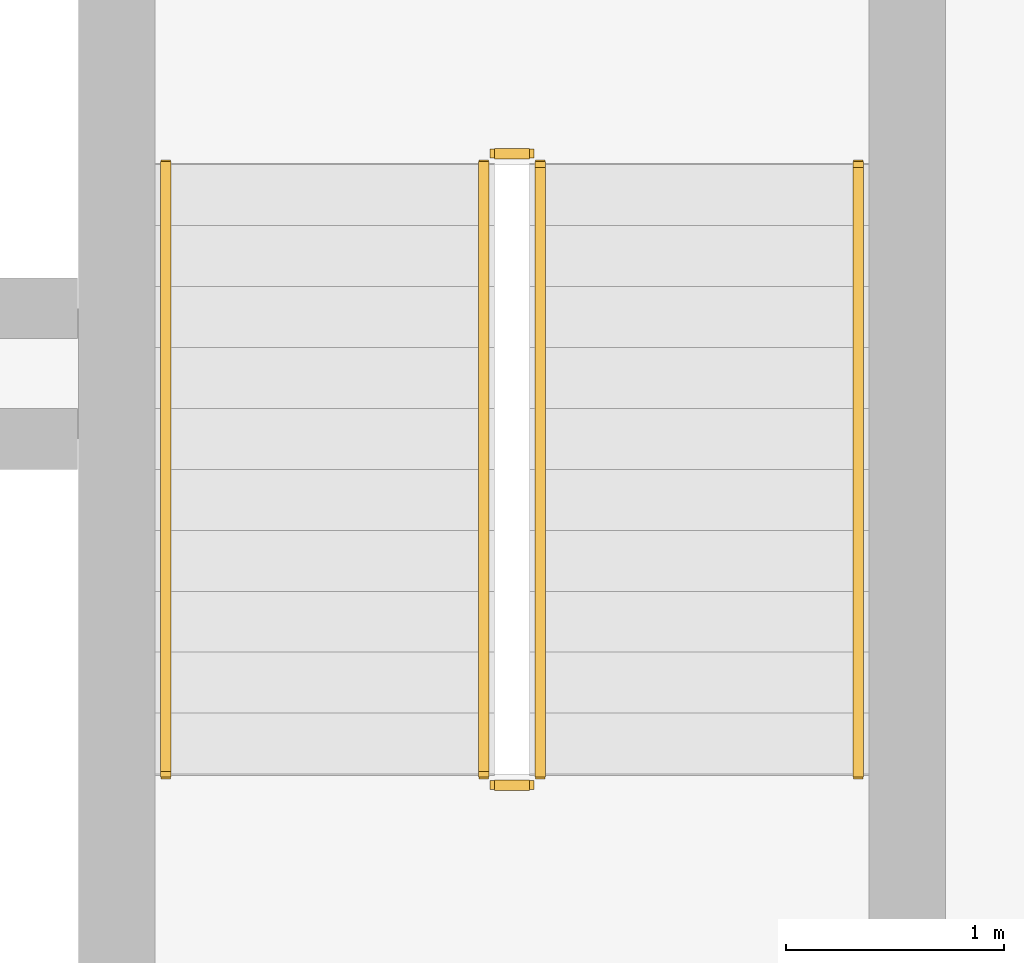
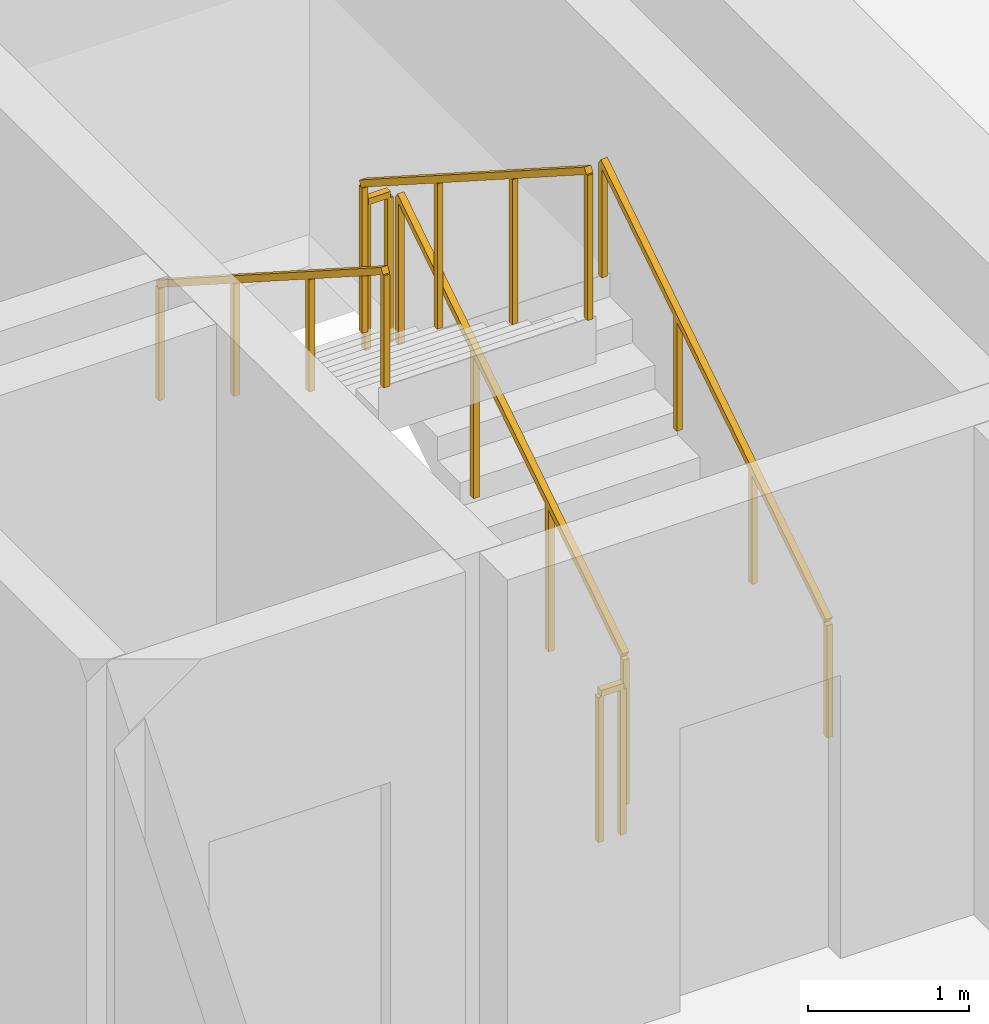
# One storey, part 11 of 11: 6 railings.
"""IFC4 building model written with IfcOpenShell, lengths in metres."""

from ifc_helpers import new_model, si_unit, direction, frame, origin, origin_2d, place, context, subcontext, project, spatial, rectangle, extrude, material, type_object, element, save


model = new_model("IFC4")

# Units and contexts
model_context = context("Model", 3, precision=1e-05, world=origin(), true_north=direction((0.0, 1.0)))
body_context = subcontext(model_context, "Body", "Model", "MODEL_VIEW")
ifc_project = project(units=[si_unit("LENGTHUNIT", "METRE"), si_unit("AREAUNIT", "SQUARE_METRE"), si_unit("VOLUMEUNIT", "CUBIC_METRE"), si_unit("PLANEANGLEUNIT", "RADIAN"), si_unit("MASSUNIT", "GRAM", prefix="KILO")], contexts=[model_context])

# Site, building, storey
site_placement = place(None, origin())
site = spatial("IfcSite", under=ifc_project, at=site_placement, CompositionType="ELEMENT")
building_placement = place(site_placement, origin())
building = spatial("IfcBuilding", under=site, at=building_placement, Name="Kaelvorn Grand Hotel", CompositionType="ELEMENT")
storey_placement = place(building_placement, frame((0.0, 0.0, 256.800048828125)))
storey = spatial("IfcBuildingStorey", under=building, at=storey_placement, Name="L63", CompositionType="ELEMENT", Elevation=256.800048828125)

# Railings
ifc_material = material(Name="Stainless Steel", Category="steel")
railing_type_1 = type_object("IfcRailingType", Name="RL-HANDRAIL-900", PredefinedType="HANDRAIL", material=ifc_material)
railing_1_placement = place(storey_placement, frame((66.550048828125, 41.760009765625, 0.179443359375)))
element("IfcRailing", 1, at=railing_1_placement, inside=storey, type_object=railing_type_1, Name="L63 ST3 stair handrail 1", PredefinedType="HANDRAIL", context=body_context, shape_type="SweptSolid", body=[
    extrude(rectangle(XDim=0.048095703125, YDim=0.048095703125, at=origin_2d()), frame((0.0, 0.0, 0.8759765625), z_axis=(0.0, 0.841809871826, 0.539774156196), x_axis=(-1.0, 0.0, 0.0)), (0.0, 0.0, 1.0), 3.326171875),
    extrude(rectangle(XDim=0.0419921875, YDim=0.0419921875, at=origin_2d()), origin(), (0.0, 0.0, 1.0), 0.851806640625),
    extrude(rectangle(XDim=0.0419921875, YDim=0.0419921875, at=origin_2d()), frame((0.0, 0.933349609375, 0.598388671875)), (0.0, 0.0, 1.0), 0.851806640625),
    extrude(rectangle(XDim=0.0419921875, YDim=0.0419921875, at=origin_2d()), frame((0.0, 1.86669921875, 1.197021484375)), (0.0, 0.0, 1.0), 0.851806640625),
    extrude(rectangle(XDim=0.0419921875, YDim=0.0419921875, at=origin_2d()), frame((0.0, 2.800048828125, 1.79541015625)), (0.0, 0.0, 1.0), 0.851806640625),
])
railing_2_placement = place(storey_placement, frame((63.3701171875, 44.56005859375, 2.154541015625)))
element("IfcRailing", 2, at=railing_2_placement, inside=storey, type_object=railing_type_1, Name="L63 ST3 stair handrail 2", PredefinedType="HANDRAIL", context=body_context, shape_type="SweptSolid", body=[
    extrude(rectangle(XDim=0.048095703125, YDim=0.048095703125, at=origin_2d()), frame((0.0, 0.0, 0.8759765625), z_axis=(0.0, -0.841809871826, 0.539774156196), x_axis=(1.0, 0.0, 0.0)), (0.0, 0.0, 1.0), 3.326171875),
    extrude(rectangle(XDim=0.0419921875, YDim=0.0419921875, at=origin_2d()), origin(), (0.0, 0.0, 1.0), 0.851806640625),
    extrude(rectangle(XDim=0.0419921875, YDim=0.0419921875, at=origin_2d()), frame((0.0, -0.933349609375, 0.598388671875)), (0.0, 0.0, 1.0), 0.851806640625),
    extrude(rectangle(XDim=0.0419921875, YDim=0.0419921875, at=origin_2d()), frame((0.0, -1.86669921875, 1.197021484375)), (0.0, 0.0, 1.0), 0.851806640625),
    extrude(rectangle(XDim=0.0419921875, YDim=0.0419921875, at=origin_2d()), frame((0.0, -2.800048828125, 1.79541015625)), (0.0, 0.0, 1.0), 0.851806640625),
])
railing_type_2 = type_object("IfcRailingType", Name="RL-STAIR-GUARD-1150", PredefinedType="BALUSTRADE", material=ifc_material)
railing_3_placement = place(storey_placement, frame((65.090087890625, 41.760009765625, 0.179443359375)))
element("IfcRailing", 3, at=railing_3_placement, inside=storey, type_object=railing_type_2, Name="L63 ST3 stair guard 1", PredefinedType="BALUSTRADE", context=body_context, shape_type="SweptSolid", body=[
    extrude(rectangle(XDim=0.048095703125, YDim=0.048095703125, at=origin_2d()), frame((0.0, 0.0, 1.1259765625), z_axis=(0.0, 0.841809871826, 0.539774156196), x_axis=(-1.0, 0.0, 0.0)), (0.0, 0.0, 1.0), 3.326171875),
    extrude(rectangle(XDim=0.0419921875, YDim=0.0419921875, at=origin_2d()), origin(), (0.0, 0.0, 1.0), 1.101806640625),
    extrude(rectangle(XDim=0.0419921875, YDim=0.0419921875, at=origin_2d()), frame((0.0, 0.933349609375, 0.598388671875)), (0.0, 0.0, 1.0), 1.101806640625),
    extrude(rectangle(XDim=0.0419921875, YDim=0.0419921875, at=origin_2d()), frame((0.0, 1.86669921875, 1.197021484375)), (0.0, 0.0, 1.0), 1.101806640625),
    extrude(rectangle(XDim=0.0419921875, YDim=0.0419921875, at=origin_2d()), frame((0.0, 2.800048828125, 1.79541015625)), (0.0, 0.0, 1.0), 1.101806640625),
])
railing_4_placement = place(storey_placement, frame((65.0400390625, 44.610107421875, 1.974853515625)))
element("IfcRailing", 4, at=railing_4_placement, inside=storey, type_object=railing_type_2, Name="L63 ST3 stair guard 2", PredefinedType="BALUSTRADE", context=body_context, shape_type="SweptSolid", body=[
    extrude(rectangle(XDim=0.048095703125, YDim=0.048095703125, at=origin_2d()), frame((0.0, 0.0, 1.1259765625), z_axis=(-1.0, 0.0, 0.0), x_axis=(0.0, -1.0, 0.0)), (0.0, 0.0, 1.0), 0.16015625),
    extrude(rectangle(XDim=0.0419921875, YDim=0.0419921875, at=origin_2d()), origin(), (0.0, 0.0, 1.0), 1.101806640625),
    extrude(rectangle(XDim=0.0419921875, YDim=0.0419921875, at=origin_2d()), frame((-0.16015625, 0.0, 0.0)), (0.0, 0.0, 1.0), 1.101806640625),
])
railing_5_placement = place(storey_placement, frame((64.830078125, 44.56005859375, 2.154541015625)))
element("IfcRailing", 5, at=railing_5_placement, inside=storey, type_object=railing_type_2, Name="L63 ST3 stair guard 3", PredefinedType="BALUSTRADE", context=body_context, shape_type="SweptSolid", body=[
    extrude(rectangle(XDim=0.048095703125, YDim=0.048095703125, at=origin_2d()), frame((0.0, 0.0, 1.1259765625), z_axis=(0.0, -0.841809871826, 0.539774156196), x_axis=(1.0, 0.0, 0.0)), (0.0, 0.0, 1.0), 3.326171875),
    extrude(rectangle(XDim=0.0419921875, YDim=0.0419921875, at=origin_2d()), origin(), (0.0, 0.0, 1.0), 1.101806640625),
    extrude(rectangle(XDim=0.0419921875, YDim=0.0419921875, at=origin_2d()), frame((0.0, -0.933349609375, 0.598388671875)), (0.0, 0.0, 1.0), 1.101806640625),
    extrude(rectangle(XDim=0.0419921875, YDim=0.0419921875, at=origin_2d()), frame((0.0, -1.86669921875, 1.197021484375)), (0.0, 0.0, 1.0), 1.101806640625),
    extrude(rectangle(XDim=0.0419921875, YDim=0.0419921875, at=origin_2d()), frame((0.0, -2.800048828125, 1.79541015625)), (0.0, 0.0, 1.0), 1.101806640625),
])
railing_6_placement = place(storey_placement, frame((65.0400390625, 41.7099609375, 0.0)))
element("IfcRailing", 6, at=railing_6_placement, inside=storey, type_object=railing_type_2, Name="L63 ST3 stair guard 4", PredefinedType="BALUSTRADE", context=body_context, shape_type="SweptSolid", body=[
    extrude(rectangle(XDim=0.048095703125, YDim=0.048095703125, at=origin_2d()), frame((0.0, 0.0, 1.1259765625), z_axis=(-1.0, 0.0, 0.0), x_axis=(0.0, -1.0, 0.0)), (0.0, 0.0, 1.0), 0.16015625),
    extrude(rectangle(XDim=0.0419921875, YDim=0.0419921875, at=origin_2d()), origin(), (0.0, 0.0, 1.0), 1.101806640625),
    extrude(rectangle(XDim=0.0419921875, YDim=0.0419921875, at=origin_2d()), frame((-0.16015625, 0.0, 0.0)), (0.0, 0.0, 1.0), 1.101806640625),
])

save(model, "model.ifc")
